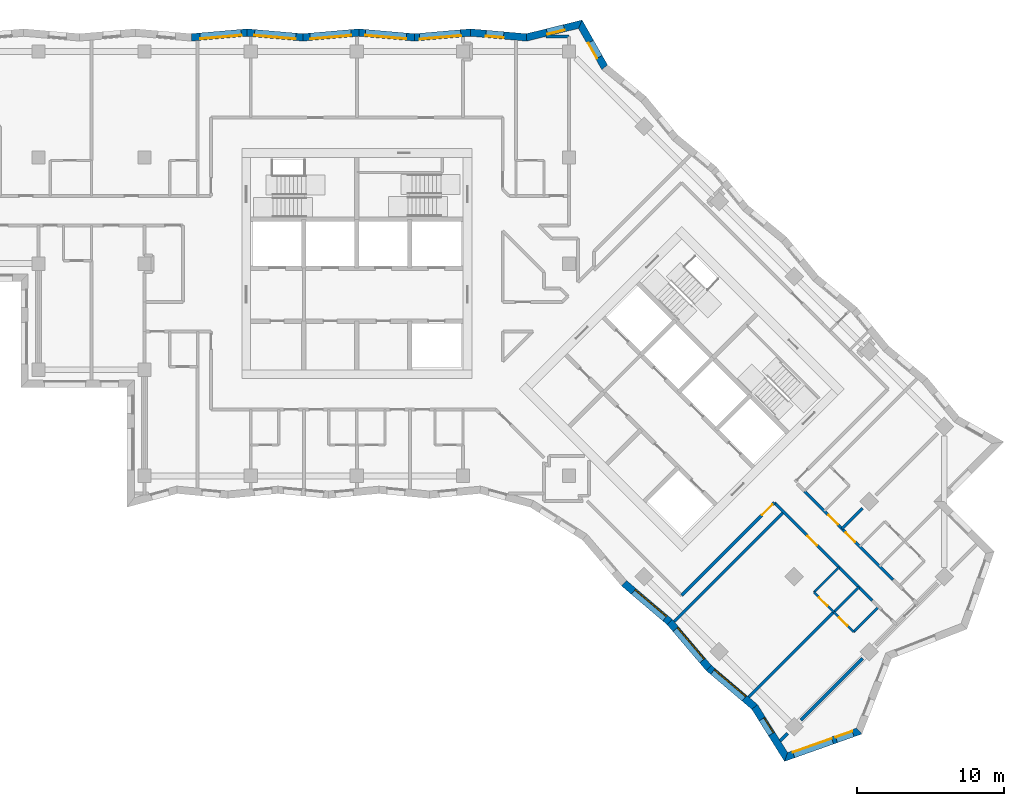
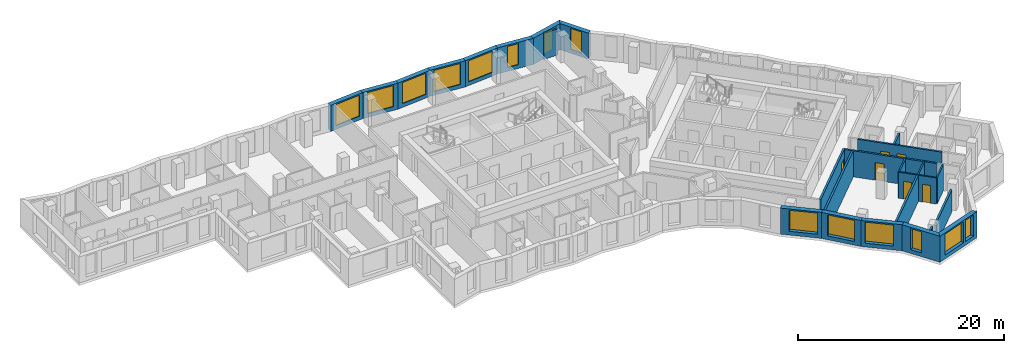
# One storey, part 7 of 12: 27 walls, 14 windows, 6 doors, 20 openings.
"""IFC4 building model written with IfcOpenShell, lengths in metres."""

from ifc_helpers import new_model, si_unit, direction, frame, frame_2d, origin, place, context, subcontext, project, spatial, polyline, rectangle, outline, extrude, material, layer, layer_set, type_object, element, fill, save


model = new_model("IFC4")

# Units and contexts
model_context = context("Model", 3, precision=1e-05, world=origin(), true_north=direction((0.0, 1.0)))
body_context = subcontext(model_context, "Body", "Model", "MODEL_VIEW")
ifc_project = project(units=[si_unit("LENGTHUNIT", "METRE"), si_unit("AREAUNIT", "SQUARE_METRE"), si_unit("VOLUMEUNIT", "CUBIC_METRE"), si_unit("PLANEANGLEUNIT", "RADIAN"), si_unit("MASSUNIT", "GRAM", prefix="KILO")], contexts=[model_context])

# Site, building, storey
site_placement = place(None, origin())
site = spatial("IfcSite", under=ifc_project, at=site_placement, CompositionType="ELEMENT")
building_placement = place(site_placement, origin())
building = spatial("IfcBuilding", under=site, at=building_placement, Name="Windrow Commons", CompositionType="ELEMENT")
storey_placement = place(building_placement, frame((0.0, 0.0, 138.8)))
storey = spatial("IfcBuildingStorey", under=building, at=storey_placement, Name="L37", CompositionType="ELEMENT", Elevation=138.8)

# Wall, openings, windows
ifc_material_1 = material(Name="Brick masonry, red clay brick", Category="masonry")
ifc_layer_1 = layer(ifc_material_1, 0.5)
ifc_layer_set_1 = layer_set([ifc_layer_1], Name="Brick facade wall 500")
wall_type_1 = type_object("IfcWallType", Name="Brick facade wall 500", PredefinedType="SOLIDWALL", material=ifc_layer_set_1)
wall_1_placement = place(storey_placement, frame((93.9212, 24.1273, 0.0), z_axis=(0.0, 0.0, 1.0), x_axis=(0.9426181277, 0.333872828, 0.0)))
wall_1 = element("IfcWall", 1, at=wall_1_placement, inside=storey, type_object=wall_type_1, Name="Brick facade wall L37 1", PredefinedType="SOLIDWALL", context=body_context, shape_type="SweptSolid", body=[
    extrude(outline(polyline([(-0.2003, -0.25), (5.3752, -0.25), (5.1468, 0.25), (0.2003, 0.25), (-0.2003, -0.25)])), origin(), (0.0, 0.0, 1.0), 3.1),
])
opening_1_placement = place(wall_1_placement, frame((0.5393, 0.0, 0.45)))
opening_1 = element("IfcOpeningElement", 2, at=opening_1_placement, cuts=wall_1, Name="Opening W1U", PredefinedType="OPENING", context=body_context, shape_type="SweptSolid", body=[
    extrude(rectangle(XDim=2.8, YDim=2.5, at=frame_2d((1.4, 1.25))), frame((0.0, 0.26, 0.0), z_axis=(0.0, -1.0, 0.0), x_axis=(1.0, 0.0, 0.0)), (0.0, 0.0, 1.0), 0.52),
])
opening_2_placement = place(wall_1_placement, frame((3.6126, 0.0, 0.45)))
opening_2 = element("IfcOpeningElement", 3, at=opening_2_placement, cuts=wall_1, Name="Opening W7E", PredefinedType="OPENING", context=body_context, shape_type="SweptSolid", body=[
    extrude(rectangle(XDim=1.2, YDim=2.5, at=frame_2d((0.6, 1.25))), frame((0.0, 0.26, 0.0), z_axis=(0.0, -1.0, 0.0), x_axis=(1.0, 0.0, 0.0)), (0.0, 0.0, 1.0), 0.52),
])
ifc_material_2 = material(Name="Clear float glass in anodised aluminium frame", Category="aluminium")
window_type_1 = type_object("IfcWindowType", Name="Window W1U bedroom 2800x2500", PartitioningType="SINGLE_PANEL", PredefinedType="WINDOW", material=ifc_material_2)
window_1_placement = place(opening_1_placement, origin())
window_1 = element("IfcWindow", 4, at=window_1_placement, inside=storey, type_object=window_type_1, Name="Window L37 1.1", OverallHeight=2.5, OverallWidth=2.8, PartitioningType="SINGLE_PANEL", PredefinedType="WINDOW", context=body_context, shape_type="SweptSolid", body=[
    extrude(rectangle(XDim=2.8, YDim=2.5, at=frame_2d((1.4, 1.25))), frame((0.0, 0.18, 0.0), z_axis=(0.0, -1.0, 0.0), x_axis=(1.0, 0.0, 0.0)), (0.0, 0.0, 1.0), 0.06),
])
fill(opening_1, window_1)
ifc_material_3 = material(Name="Clear float glass in anodised aluminium frame", Category="aluminium")
window_type_2 = type_object("IfcWindowType", Name="Window W7 notch 1200x2500", PartitioningType="SINGLE_PANEL", PredefinedType="WINDOW", material=ifc_material_3)
window_2_placement = place(opening_2_placement, origin())
window_2 = element("IfcWindow", 5, at=window_2_placement, inside=storey, type_object=window_type_2, Name="Window L37 1.2", OverallHeight=2.5, OverallWidth=1.2, PartitioningType="SINGLE_PANEL", PredefinedType="WINDOW", context=body_context, shape_type="SweptSolid", body=[
    extrude(rectangle(XDim=1.2, YDim=2.5, at=frame_2d((0.6, 1.25))), frame((0.0, 0.18, 0.0), z_axis=(0.0, -1.0, 0.0), x_axis=(1.0, 0.0, 0.0)), (0.0, 0.0, 1.0), 0.06),
])
fill(opening_2, window_2)

# Wall, opening, window
wall_2_placement = place(storey_placement, frame((81.6156, 70.9232, 0.0), z_axis=(0.0, 0.0, 1.0), x_axis=(-0.4937468039, 0.8696057116, 0.0)))
wall_2 = element("IfcWall", 6, at=wall_2_placement, inside=storey, type_object=wall_type_1, Name="Brick facade wall L37 18", PredefinedType="SOLIDWALL", context=body_context, shape_type="SweptSolid", body=[
    extrude(outline(polyline([(0.0463, -0.25), (3.5457, -0.25), (3.1675, 0.25), (-0.0463, 0.25), (0.0463, -0.25)])), origin(), (0.0, 0.0, 1.0), 3.1),
])
opening_3_placement = place(wall_2_placement, frame((0.7808, 0.0, 0.45)))
opening_3 = element("IfcOpeningElement", 7, at=opening_3_placement, cuts=wall_2, Name="Opening W7E", PredefinedType="OPENING", context=body_context, shape_type="SweptSolid", body=[
    extrude(rectangle(XDim=1.2, YDim=2.5, at=frame_2d((0.6, 1.25))), frame((0.0, 0.26, 0.0), z_axis=(0.0, -1.0, 0.0), x_axis=(1.0, 0.0, 0.0)), (0.0, 0.0, 1.0), 0.52),
])
window_3_placement = place(opening_3_placement, origin())
window_3 = element("IfcWindow", 8, at=window_3_placement, inside=storey, type_object=window_type_2, Name="Window L37 18.1", OverallHeight=2.5, OverallWidth=1.2, PartitioningType="SINGLE_PANEL", PredefinedType="WINDOW", context=body_context, shape_type="SweptSolid", body=[
    extrude(rectangle(XDim=1.2, YDim=2.5, at=frame_2d((0.6, 1.25))), frame((0.0, 0.18, 0.0), z_axis=(0.0, -1.0, 0.0), x_axis=(1.0, 0.0, 0.0)), (0.0, 0.0, 1.0), 0.06),
])
fill(opening_3, window_3)

wall_3_placement = place(storey_placement, frame((79.9583, 73.8421, 0.0), z_axis=(0.0, 0.0, 1.0), x_axis=(-0.9711681405, -0.2383955595, 0.0)))
wall_3 = element("IfcWall", 9, at=wall_3_placement, inside=storey, type_object=wall_type_1, Name="Brick facade wall L37 19", PredefinedType="SOLIDWALL", context=body_context, shape_type="SweptSolid", body=[
    extrude(outline(polyline([(-0.1891, -0.25), (3.7117, -0.25), (3.7943, 0.25), (0.1891, 0.25), (-0.1891, -0.25)])), origin(), (0.0, 0.0, 1.0), 3.1),
])
opening_4_placement = place(wall_3_placement, frame((1.1169, 0.0, 0.45)))
opening_4 = element("IfcOpeningElement", 10, at=opening_4_placement, cuts=wall_3, Name="Opening W7E", PredefinedType="OPENING", context=body_context, shape_type="SweptSolid", body=[
    extrude(rectangle(XDim=1.2, YDim=2.5, at=frame_2d((0.6, 1.25))), frame((0.0, 0.26, 0.0), z_axis=(0.0, -1.0, 0.0), x_axis=(1.0, 0.0, 0.0)), (0.0, 0.0, 1.0), 0.52),
])
window_4_placement = place(opening_4_placement, origin())
window_4 = element("IfcWindow", 11, at=window_4_placement, inside=storey, type_object=window_type_2, Name="Window L37 19.1", OverallHeight=2.5, OverallWidth=1.2, PartitioningType="SINGLE_PANEL", PredefinedType="WINDOW", context=body_context, shape_type="SweptSolid", body=[
    extrude(rectangle(XDim=1.2, YDim=2.5, at=frame_2d((0.6, 1.25))), frame((0.0, 0.16, 0.0), z_axis=(0.0, -1.0, 0.0), x_axis=(1.0, 0.0, 0.0)), (0.0, 0.0, 1.0), 0.06),
])
fill(opening_4, window_4)

wall_4_placement = place(storey_placement, frame((76.3135, 72.9474, 0.0), z_axis=(0.0, 0.0, 1.0), x_axis=(-0.9962271263, 0.0867842891, 0.0)))
wall_4 = element("IfcWall", 12, at=wall_4_placement, inside=storey, type_object=wall_type_1, Name="Brick facade wall L37 20", PredefinedType="SOLIDWALL", context=body_context, shape_type="SweptSolid", body=[
    extrude(outline(polyline([(0.0413, -0.25), (3.8439, -0.25), (3.8004, 0.25), (-0.0413, 0.25), (0.0413, -0.25)])), origin(), (0.0, 0.0, 1.0), 3.1),
])
opening_5_placement = place(wall_4_placement, frame((1.5583, 0.0, 0.45)))
opening_5 = element("IfcOpeningElement", 13, at=opening_5_placement, cuts=wall_4, Name="Opening W7E", PredefinedType="OPENING", context=body_context, shape_type="SweptSolid", body=[
    extrude(rectangle(XDim=1.2, YDim=2.5, at=frame_2d((0.6, 1.25))), frame((0.0, 0.26, 0.0), z_axis=(0.0, -1.0, 0.0), x_axis=(1.0, 0.0, 0.0)), (0.0, 0.0, 1.0), 0.52),
])
window_5_placement = place(opening_5_placement, origin())
window_5 = element("IfcWindow", 14, at=window_5_placement, inside=storey, type_object=window_type_2, Name="Window L37 20.1", OverallHeight=2.5, OverallWidth=1.2, PartitioningType="SINGLE_PANEL", PredefinedType="WINDOW", context=body_context, shape_type="SweptSolid", body=[
    extrude(rectangle(XDim=1.2, YDim=2.5, at=frame_2d((0.6, 1.25))), frame((0.0, 0.18, 0.0), z_axis=(0.0, -1.0, 0.0), x_axis=(1.0, 0.0, 0.0)), (0.0, 0.0, 1.0), 0.06),
])
fill(opening_5, window_5)

wall_5_placement = place(storey_placement, frame((72.5058, 73.2791, 0.0), z_axis=(0.0, 0.0, 1.0), x_axis=(-0.9962273538, -0.0867816769, 0.0)))
wall_5 = element("IfcWall", 15, at=wall_5_placement, inside=storey, type_object=wall_type_1, Name="Brick facade wall L37 21", PredefinedType="SOLIDWALL", context=body_context, shape_type="SweptSolid", body=[
    extrude(outline(polyline([(-0.0218, -0.25), (3.7808, -0.25), (3.8244, 0.25), (0.0218, 0.25), (-0.0218, -0.25)])), origin(), (0.0, 0.0, 1.0), 3.1),
])
opening_6_placement = place(wall_5_placement, frame((0.6552, 0.0, 0.45)))
opening_6 = element("IfcOpeningElement", 16, at=opening_6_placement, cuts=wall_5, Name="Opening W1U", PredefinedType="OPENING", context=body_context, shape_type="SweptSolid", body=[
    extrude(rectangle(XDim=2.8, YDim=2.5, at=frame_2d((1.4, 1.25))), frame((0.0, 0.26, 0.0), z_axis=(0.0, -1.0, 0.0), x_axis=(1.0, 0.0, 0.0)), (0.0, 0.0, 1.0), 0.52),
])
window_6_placement = place(opening_6_placement, origin())
window_6 = element("IfcWindow", 17, at=window_6_placement, inside=storey, type_object=window_type_1, Name="Window L37 21.1", OverallHeight=2.5, OverallWidth=2.8, PartitioningType="SINGLE_PANEL", PredefinedType="WINDOW", context=body_context, shape_type="SweptSolid", body=[
    extrude(rectangle(XDim=2.8, YDim=2.5, at=frame_2d((1.4, 1.25))), frame((0.0, 0.18, 0.0), z_axis=(0.0, -1.0, 0.0), x_axis=(1.0, 0.0, 0.0)), (0.0, 0.0, 1.0), 0.06),
])
fill(opening_6, window_6)

wall_6_placement = place(storey_placement, frame((68.7175, 72.9491, 0.0), z_axis=(0.0, 0.0, 1.0), x_axis=(-0.9962273538, 0.0867816769, 0.0)))
wall_6 = element("IfcWall", 18, at=wall_6_placement, inside=storey, type_object=wall_type_1, Name="Brick facade wall L37 22", PredefinedType="SOLIDWALL", context=body_context, shape_type="SweptSolid", body=[
    extrude(outline(polyline([(0.0218, -0.25), (3.8244, -0.25), (3.7808, 0.25), (-0.0218, 0.25), (0.0218, -0.25)])), origin(), (0.0, 0.0, 1.0), 3.1),
])
opening_7_placement = place(wall_6_placement, frame((0.5498, 0.0, 0.45)))
opening_7 = element("IfcOpeningElement", 19, at=opening_7_placement, cuts=wall_6, Name="Opening W1U", PredefinedType="OPENING", context=body_context, shape_type="SweptSolid", body=[
    extrude(rectangle(XDim=2.8, YDim=2.5, at=frame_2d((1.4, 1.25))), frame((0.0, 0.26, 0.0), z_axis=(0.0, -1.0, 0.0), x_axis=(1.0, 0.0, 0.0)), (0.0, 0.0, 1.0), 0.52),
])
window_7_placement = place(opening_7_placement, origin())
window_7 = element("IfcWindow", 20, at=window_7_placement, inside=storey, type_object=window_type_1, Name="Window L37 22.1", OverallHeight=2.5, OverallWidth=2.8, PartitioningType="SINGLE_PANEL", PredefinedType="WINDOW", context=body_context, shape_type="SweptSolid", body=[
    extrude(rectangle(XDim=2.8, YDim=2.5, at=frame_2d((1.4, 1.25))), frame((0.0, 0.18, 0.0), z_axis=(0.0, -1.0, 0.0), x_axis=(1.0, 0.0, 0.0)), (0.0, 0.0, 1.0), 0.06),
])
fill(opening_7, window_7)

wall_7_placement = place(storey_placement, frame((64.9292, 73.2791, 0.0), z_axis=(0.0, 0.0, 1.0), x_axis=(-0.9962271558, -0.0867839505, 0.0)))
wall_7 = element("IfcWall", 21, at=wall_7_placement, inside=storey, type_object=wall_type_1, Name="Brick facade wall L37 23", PredefinedType="SOLIDWALL", context=body_context, shape_type="SweptSolid", body=[
    extrude(outline(polyline([(-0.0218, -0.25), (3.7808, -0.25), (3.8244, 0.25), (0.0218, 0.25), (-0.0218, -0.25)])), origin(), (0.0, 0.0, 1.0), 3.1),
])
opening_8_placement = place(wall_7_placement, frame((0.5122, 0.0, 0.45)))
opening_8 = element("IfcOpeningElement", 22, at=opening_8_placement, cuts=wall_7, Name="Opening W1U", PredefinedType="OPENING", context=body_context, shape_type="SweptSolid", body=[
    extrude(rectangle(XDim=2.8, YDim=2.5, at=frame_2d((1.4, 1.25))), frame((0.0, 0.26, 0.0), z_axis=(0.0, -1.0, 0.0), x_axis=(1.0, 0.0, 0.0)), (0.0, 0.0, 1.0), 0.52),
])
window_8_placement = place(opening_8_placement, origin())
window_8 = element("IfcWindow", 23, at=window_8_placement, inside=storey, type_object=window_type_1, Name="Window L37 23.1", OverallHeight=2.5, OverallWidth=2.8, PartitioningType="SINGLE_PANEL", PredefinedType="WINDOW", context=body_context, shape_type="SweptSolid", body=[
    extrude(rectangle(XDim=2.8, YDim=2.5, at=frame_2d((1.4, 1.25))), frame((0.0, 0.18, 0.0), z_axis=(0.0, -1.0, 0.0), x_axis=(1.0, 0.0, 0.0)), (0.0, 0.0, 1.0), 0.06),
])
fill(opening_8, window_8)

wall_8_placement = place(storey_placement, frame((61.141, 72.9491, 0.0), z_axis=(0.0, 0.0, 1.0), x_axis=(-0.9962273538, 0.0867816769, 0.0)))
wall_8 = element("IfcWall", 24, at=wall_8_placement, inside=storey, type_object=wall_type_1, Name="Brick facade wall L37 24", PredefinedType="SOLIDWALL", context=body_context, shape_type="SweptSolid", body=[
    extrude(outline(polyline([(0.0218, -0.25), (3.8244, -0.25), (3.7808, 0.25), (-0.0218, 0.25), (0.0218, -0.25)])), origin(), (0.0, 0.0, 1.0), 3.1),
])
opening_9_placement = place(wall_8_placement, frame((0.4904, 0.0, 0.45)))
opening_9 = element("IfcOpeningElement", 25, at=opening_9_placement, cuts=wall_8, Name="Opening W1U", PredefinedType="OPENING", context=body_context, shape_type="SweptSolid", body=[
    extrude(rectangle(XDim=2.8, YDim=2.5, at=frame_2d((1.4, 1.25))), frame((0.0, 0.26, 0.0), z_axis=(0.0, -1.0, 0.0), x_axis=(1.0, 0.0, 0.0)), (0.0, 0.0, 1.0), 0.52),
])
window_9_placement = place(opening_9_placement, origin())
window_9 = element("IfcWindow", 26, at=window_9_placement, inside=storey, type_object=window_type_1, Name="Window L37 24.1", OverallHeight=2.5, OverallWidth=2.8, PartitioningType="SINGLE_PANEL", PredefinedType="WINDOW", context=body_context, shape_type="SweptSolid", body=[
    extrude(rectangle(XDim=2.8, YDim=2.5, at=frame_2d((1.4, 1.25))), frame((0.0, 0.18, 0.0), z_axis=(0.0, -1.0, 0.0), x_axis=(1.0, 0.0, 0.0)), (0.0, 0.0, 1.0), 0.06),
])
fill(opening_9, window_9)

wall_9_placement = place(storey_placement, frame((57.3527, 73.2791, 0.0), z_axis=(0.0, 0.0, 1.0), x_axis=(-0.9962273538, -0.0867816769, 0.0)))
wall_9 = element("IfcWall", 27, at=wall_9_placement, inside=storey, type_object=wall_type_1, Name="Brick facade wall L37 25", PredefinedType="SOLIDWALL", context=body_context, shape_type="SweptSolid", body=[
    extrude(outline(polyline([(-0.0218, -0.25), (3.7808, -0.25), (3.8244, 0.25), (0.0218, 0.25), (-0.0218, -0.25)])), origin(), (0.0, 0.0, 1.0), 3.1),
])
opening_10_placement = place(wall_9_placement, frame((0.3936, 0.0, 0.45)))
opening_10 = element("IfcOpeningElement", 28, at=opening_10_placement, cuts=wall_9, Name="Opening W1U", PredefinedType="OPENING", context=body_context, shape_type="SweptSolid", body=[
    extrude(rectangle(XDim=2.8, YDim=2.5, at=frame_2d((1.4, 1.25))), frame((0.0, 0.26, 0.0), z_axis=(0.0, -1.0, 0.0), x_axis=(1.0, 0.0, 0.0)), (0.0, 0.0, 1.0), 0.52),
])
window_10_placement = place(opening_10_placement, origin())
window_10 = element("IfcWindow", 29, at=window_10_placement, inside=storey, type_object=window_type_1, Name="Window L37 25.1", OverallHeight=2.5, OverallWidth=2.8, PartitioningType="SINGLE_PANEL", PredefinedType="WINDOW", context=body_context, shape_type="SweptSolid", body=[
    extrude(rectangle(XDim=2.8, YDim=2.5, at=frame_2d((1.4, 1.25))), frame((0.0, 0.18, 0.0), z_axis=(0.0, -1.0, 0.0), x_axis=(1.0, 0.0, 0.0)), (0.0, 0.0, 1.0), 0.06),
])
fill(opening_10, window_10)

wall_10_placement = place(storey_placement, frame((82.9207, 35.9232, 0.0), z_axis=(0.0, 0.0, 1.0), x_axis=(0.7620191747, -0.647554459, 0.0)))
wall_10 = element("IfcWall", 30, at=wall_10_placement, inside=storey, type_object=wall_type_1, Name="Brick facade wall L37 52", PredefinedType="SOLIDWALL", context=body_context, shape_type="SweptSolid", body=[
    extrude(outline(polyline([(-0.0203, -0.25), (4.0578, -0.25), (4.0984, 0.25), (0.0203, 0.25), (-0.0203, -0.25)])), origin(), (0.0, 0.0, 1.0), 3.1),
])
opening_11_placement = place(wall_10_placement, frame((0.8696, 0.0, 0.45)))
opening_11 = element("IfcOpeningElement", 31, at=opening_11_placement, cuts=wall_10, Name="Opening W1U", PredefinedType="OPENING", context=body_context, shape_type="SweptSolid", body=[
    extrude(rectangle(XDim=2.8, YDim=2.5, at=frame_2d((1.4, 1.25))), frame((0.0, 0.26, 0.0), z_axis=(0.0, -1.0, 0.0), x_axis=(1.0, 0.0, 0.0)), (0.0, 0.0, 1.0), 0.52),
])
window_11_placement = place(opening_11_placement, origin())
window_11 = element("IfcWindow", 32, at=window_11_placement, inside=storey, type_object=window_type_1, Name="Window L37 52.1", OverallHeight=2.5, OverallWidth=2.8, PartitioningType="SINGLE_PANEL", PredefinedType="WINDOW", context=body_context, shape_type="SweptSolid", body=[
    extrude(rectangle(XDim=2.8, YDim=2.5, at=frame_2d((1.4, 1.25))), frame((0.0, 0.18, 0.0), z_axis=(0.0, -1.0, 0.0), x_axis=(1.0, 0.0, 0.0)), (0.0, 0.0, 1.0), 0.06),
])
fill(opening_11, window_11)

wall_11_placement = place(storey_placement, frame((86.0283, 33.2824, 0.0), z_axis=(0.0, 0.0, 1.0), x_axis=(0.647554459, -0.7620191747, 0.0)))
wall_11 = element("IfcWall", 33, at=wall_11_placement, inside=storey, type_object=wall_type_1, Name="Brick facade wall L37 53", PredefinedType="SOLIDWALL", context=body_context, shape_type="SweptSolid", body=[
    extrude(outline(polyline([(0.0203, -0.25), (4.0984, -0.25), (4.0578, 0.25), (-0.0203, 0.25), (0.0203, -0.25)])), origin(), (0.0, 0.0, 1.0), 3.1),
])
opening_12_placement = place(wall_11_placement, frame((0.6289, 0.0, 0.45)))
opening_12 = element("IfcOpeningElement", 34, at=opening_12_placement, cuts=wall_11, Name="Opening W1U", PredefinedType="OPENING", context=body_context, shape_type="SweptSolid", body=[
    extrude(rectangle(XDim=2.8, YDim=2.5, at=frame_2d((1.4, 1.25))), frame((0.0, 0.26, 0.0), z_axis=(0.0, -1.0, 0.0), x_axis=(1.0, 0.0, 0.0)), (0.0, 0.0, 1.0), 0.52),
])
window_12_placement = place(opening_12_placement, origin())
window_12 = element("IfcWindow", 35, at=window_12_placement, inside=storey, type_object=window_type_1, Name="Window L37 53.1", OverallHeight=2.5, OverallWidth=2.8, PartitioningType="SINGLE_PANEL", PredefinedType="WINDOW", context=body_context, shape_type="SweptSolid", body=[
    extrude(rectangle(XDim=2.8, YDim=2.5, at=frame_2d((1.4, 1.25))), frame((0.0, 0.18, 0.0), z_axis=(0.0, -1.0, 0.0), x_axis=(1.0, 0.0, 0.0)), (0.0, 0.0, 1.0), 0.06),
])
fill(opening_12, window_12)

wall_12_placement = place(storey_placement, frame((88.6691, 30.1748, 0.0), z_axis=(0.0, 0.0, 1.0), x_axis=(0.76200858, -0.6475669262, 0.0)))
wall_12 = element("IfcWall", 36, at=wall_12_placement, inside=storey, type_object=wall_type_1, Name="Brick facade wall L37 54", PredefinedType="SOLIDWALL", context=body_context, shape_type="SweptSolid", body=[
    extrude(outline(polyline([(-0.0203, -0.25), (4.0578, -0.25), (4.1349, 0.25), (0.0203, 0.25), (-0.0203, -0.25)])), origin(), (0.0, 0.0, 1.0), 3.1),
])
opening_13_placement = place(wall_12_placement, frame((0.3804, 0.0, 0.45)))
opening_13 = element("IfcOpeningElement", 37, at=opening_13_placement, cuts=wall_12, Name="Opening W1U", PredefinedType="OPENING", context=body_context, shape_type="SweptSolid", body=[
    extrude(rectangle(XDim=2.8, YDim=2.5, at=frame_2d((1.4, 1.25))), frame((0.0, 0.26, 0.0), z_axis=(0.0, -1.0, 0.0), x_axis=(1.0, 0.0, 0.0)), (0.0, 0.0, 1.0), 0.52),
])
window_13_placement = place(opening_13_placement, origin())
window_13 = element("IfcWindow", 38, at=window_13_placement, inside=storey, type_object=window_type_1, Name="Window L37 54.1", OverallHeight=2.5, OverallWidth=2.8, PartitioningType="SINGLE_PANEL", PredefinedType="WINDOW", context=body_context, shape_type="SweptSolid", body=[
    extrude(rectangle(XDim=2.8, YDim=2.5, at=frame_2d((1.4, 1.25))), frame((0.0, 0.18, 0.0), z_axis=(0.0, -1.0, 0.0), x_axis=(1.0, 0.0, 0.0)), (0.0, 0.0, 1.0), 0.06),
])
fill(opening_13, window_13)

wall_13_placement = place(storey_placement, frame((91.7906, 27.5221, 0.0), z_axis=(0.0, 0.0, 1.0), x_axis=(0.5315858435, -0.847004422, 0.0)))
wall_13 = element("IfcWall", 39, at=wall_13_placement, inside=storey, type_object=wall_type_1, Name="Brick facade wall L37 55", PredefinedType="SOLIDWALL", context=body_context, shape_type="SweptSolid", body=[
    extrude(outline(polyline([(0.0385, -0.25), (4.2083, -0.25), (3.8078, 0.25), (-0.0385, 0.25), (0.0385, -0.25)])), origin(), (0.0, 0.0, 1.0), 3.1),
])
opening_14_placement = place(wall_13_placement, frame((0.96, 0.0, 0.45)))
opening_14 = element("IfcOpeningElement", 40, at=opening_14_placement, cuts=wall_13, Name="Opening W7E", PredefinedType="OPENING", context=body_context, shape_type="SweptSolid", body=[
    extrude(rectangle(XDim=1.2, YDim=2.5, at=frame_2d((0.6, 1.25))), frame((0.0, 0.26, 0.0), z_axis=(0.0, -1.0, 0.0), x_axis=(1.0, 0.0, 0.0)), (0.0, 0.0, 1.0), 0.52),
])
window_14_placement = place(opening_14_placement, origin())
window_14 = element("IfcWindow", 41, at=window_14_placement, inside=storey, type_object=window_type_2, Name="Window L37 55.1", OverallHeight=2.5, OverallWidth=1.2, PartitioningType="SINGLE_PANEL", PredefinedType="WINDOW", context=body_context, shape_type="SweptSolid", body=[
    extrude(rectangle(XDim=1.2, YDim=2.5, at=frame_2d((0.6, 1.25))), frame((0.0, 0.18, 0.0), z_axis=(0.0, -1.0, 0.0), x_axis=(1.0, 0.0, 0.0)), (0.0, 0.0, 1.0), 0.06),
])
fill(opening_14, window_14)

# Wall, opening, door
ifc_material_4 = material(Name="Blockwork partition", Category="masonry")
ifc_layer_2 = layer(ifc_material_4, 0.2)
ifc_layer_set_2 = layer_set([ifc_layer_2], Name="IW-CORRIDOR-200")
wall_type_2 = type_object("IfcWallType", Name="IW-CORRIDOR-200", PredefinedType="PARTITIONING", material=ifc_layer_set_2)
wall_14_placement = place(storey_placement, frame((93.1269, 41.3789, 0.0), z_axis=(0.0, 0.0, 1.0), x_axis=(0.7071067812, -0.7071067812, 0.0)))
wall_14 = element("IfcWall", 42, at=wall_14_placement, inside=storey, type_object=wall_type_2, Name="W-L37-W007", PredefinedType="PARTITIONING", context=body_context, shape_type="SweptSolid", body=[
    extrude(rectangle(XDim=9.3904, YDim=0.2, at=frame_2d((4.6952, 0.0))), origin(), (0.0, 0.0, 1.0), 3.1),
])
opening_15_placement = place(wall_14_placement, frame((3.2004, 0.0, 0.0)))
opening_15 = element("IfcOpeningElement", 43, at=opening_15_placement, cuts=wall_14, Name="Opening D109F", PredefinedType="OPENING", context=body_context, shape_type="SweptSolid", body=[
    extrude(rectangle(XDim=0.9, YDim=2.1, at=frame_2d((0.45, 1.05))), frame((0.0, 0.11, 0.0), z_axis=(0.0, -1.0, 0.0), x_axis=(1.0, 0.0, 0.0)), (0.0, 0.0, 1.0), 0.22),
])
ifc_material_5 = material(Name="Timber door leaf", Category="wood")
door_type_1 = type_object("IfcDoorType", Name="DT-BEDROOM-900", OperationType="SINGLE_SWING_LEFT", PredefinedType="DOOR", material=ifc_material_5)
door_1_placement = place(opening_15_placement, origin())
door_1 = element("IfcDoor", 44, at=door_1_placement, inside=storey, type_object=door_type_1, Name="D-L37-D045", OperationType="SINGLE_SWING_LEFT", OverallHeight=2.1, OverallWidth=0.9, PredefinedType="DOOR", context=body_context, shape_type="SweptSolid", body=[
    extrude(rectangle(XDim=0.9, YDim=2.1, at=frame_2d((0.45, 1.05))), frame((0.0, 0.025, 0.0), z_axis=(0.0, -1.0, 0.0), x_axis=(1.0, 0.0, 0.0)), (0.0, 0.0, 1.0), 0.05),
])
fill(opening_15, door_1)

wall_15_placement = place(storey_placement, frame((86.837, 35.091, 0.0), z_axis=(0.0, 0.0, 1.0), x_axis=(0.7071067812, 0.7071067812, 0.0)))
wall_15 = element("IfcWall", 45, at=wall_15_placement, inside=storey, type_object=wall_type_2, Name="W-L37-W011", PredefinedType="PARTITIONING", context=body_context, shape_type="SweptSolid", body=[
    extrude(rectangle(XDim=8.8982, YDim=0.2, at=frame_2d((4.4491, 0.0))), origin(), (0.0, 0.0, 1.0), 3.1),
])
opening_16_placement = place(wall_15_placement, frame((7.7004, 0.0, 0.0)))
opening_16 = element("IfcOpeningElement", 46, at=opening_16_placement, cuts=wall_15, Name="Opening D310F", PredefinedType="OPENING", context=body_context, shape_type="SweptSolid", body=[
    extrude(rectangle(XDim=1.0, YDim=2.1, at=frame_2d((0.5, 1.05))), frame((0.0, 0.11, 0.0), z_axis=(0.0, -1.0, 0.0), x_axis=(1.0, 0.0, 0.0)), (0.0, 0.0, 1.0), 0.22),
])
ifc_material_6 = material(Name="Timber door leaf", Category="wood")
door_type_2 = type_object("IfcDoorType", Name="DT-AMENITY-1000", OperationType="SINGLE_SWING_LEFT", PredefinedType="DOOR", material=ifc_material_6)
door_2_placement = place(opening_16_placement, origin())
door_2 = element("IfcDoor", 47, at=door_2_placement, inside=storey, type_object=door_type_2, Name="D-L37-D044", OperationType="SINGLE_SWING_LEFT", OverallHeight=2.1, OverallWidth=1.0, PredefinedType="DOOR", context=body_context, shape_type="SweptSolid", body=[
    extrude(rectangle(XDim=1.0, YDim=2.1, at=frame_2d((0.5, 1.05))), frame((0.0, 0.025, 0.0), z_axis=(0.0, -1.0, 0.0), x_axis=(1.0, 0.0, 0.0)), (0.0, 0.0, 1.0), 0.05),
])
fill(opening_16, door_2)

# Wall, openings, doors
wall_16_placement = place(storey_placement, frame((95.1771, 42.1571, 0.0), z_axis=(0.0, 0.0, 1.0), x_axis=(0.7071067812, -0.7071067812, 0.0)))
wall_16 = element("IfcWall", 48, at=wall_16_placement, inside=storey, type_object=wall_type_2, Name="W-L37-W012", PredefinedType="PARTITIONING", context=body_context, shape_type="SweptSolid", body=[
    extrude(rectangle(XDim=8.4909, YDim=0.2, at=frame_2d((4.2454, 0.0))), origin(), (0.0, 0.0, 1.0), 3.1),
])
opening_17_placement = place(wall_16_placement, frame((2.3004, 0.0, 0.0)))
opening_17 = element("IfcOpeningElement", 49, at=opening_17_placement, cuts=wall_16, Name="Opening D109S", PredefinedType="OPENING", context=body_context, shape_type="SweptSolid", body=[
    extrude(rectangle(XDim=0.9, YDim=2.1, at=frame_2d((0.45, 1.05))), frame((0.0, 0.11, 0.0), z_axis=(0.0, -1.0, 0.0), x_axis=(1.0, 0.0, 0.0)), (0.0, 0.0, 1.0), 0.22),
])
opening_18_placement = place(wall_16_placement, frame((3.9504, 0.0, 0.0)))
opening_18 = element("IfcOpeningElement", 50, at=opening_18_placement, cuts=wall_16, Name="Opening D109S", PredefinedType="OPENING", context=body_context, shape_type="SweptSolid", body=[
    extrude(rectangle(XDim=0.9, YDim=2.1, at=frame_2d((0.45, 1.05))), frame((0.0, 0.11, 0.0), z_axis=(0.0, -1.0, 0.0), x_axis=(1.0, 0.0, 0.0)), (0.0, 0.0, 1.0), 0.22),
])
door_3_placement = place(opening_17_placement, origin())
door_3 = element("IfcDoor", 51, at=door_3_placement, inside=storey, type_object=door_type_1, Name="D-L37-D042", OperationType="SINGLE_SWING_RIGHT", OverallHeight=2.1, OverallWidth=0.9, PredefinedType="DOOR", context=body_context, shape_type="SweptSolid", body=[
    extrude(rectangle(XDim=0.9, YDim=2.1, at=frame_2d((0.45, 1.05))), frame((0.0, 0.025, 0.0), z_axis=(0.0, -1.0, 0.0), x_axis=(1.0, 0.0, 0.0)), (0.0, 0.0, 1.0), 0.05),
])
fill(opening_17, door_3)
door_4_placement = place(opening_18_placement, origin())
door_4 = element("IfcDoor", 52, at=door_4_placement, inside=storey, type_object=door_type_1, Name="D-L37-D047", OperationType="SINGLE_SWING_LEFT", OverallHeight=2.1, OverallWidth=0.9, PredefinedType="DOOR", context=body_context, shape_type="SweptSolid", body=[
    extrude(rectangle(XDim=0.9, YDim=2.1, at=frame_2d((0.45, 1.05))), frame((0.0, 0.025, 0.0), z_axis=(0.0, -1.0, 0.0), x_axis=(1.0, 0.0, 0.0)), (0.0, 0.0, 1.0), 0.05),
])
fill(opening_18, door_4)

# Walls
ifc_material_7 = material(Name="Blockwork partition", Category="masonry")
ifc_layer_3 = layer(ifc_material_7, 0.15)
ifc_layer_set_3 = layer_set([ifc_layer_3], Name="IW-ENSUITE-150")
wall_type_3 = type_object("IfcWallType", Name="IW-ENSUITE-150", PredefinedType="PARTITIONING", material=ifc_layer_set_3)
wall_17_placement = place(storey_placement, frame((98.5031, 32.6149, 0.0), z_axis=(0.0, 0.0, 1.0), x_axis=(0.7071067812, 0.7071067812, 0.0)))
element("IfcWall", 53, at=wall_17_placement, inside=storey, type_object=wall_type_3, Name="W-L37-W063", PredefinedType="PARTITIONING", context=body_context, shape_type="SweptSolid", body=[
    extrude(rectangle(XDim=2.4013, YDim=0.15, at=frame_2d((1.2006, 0.0))), origin(), (0.0, 0.0, 1.0), 3.1),
])
wall_18_placement = place(storey_placement, frame((97.1629, 33.9551, 0.0), z_axis=(0.0, 0.0, 1.0), x_axis=(0.7075233388, 0.706689978, 0.0)))
element("IfcWall", 54, at=wall_18_placement, inside=storey, type_object=wall_type_3, Name="W-L37-W088", PredefinedType="PARTITIONING", context=body_context, shape_type="SweptSolid", body=[
    extrude(rectangle(XDim=2.3999, YDim=0.15, at=frame_2d((1.2, 0.0))), origin(), (0.0, 0.0, 1.0), 3.1),
])
wall_19_placement = place(storey_placement, frame((95.8171, 35.3029, 0.0), z_axis=(0.0, 0.0, 1.0), x_axis=(0.7071067812, 0.7071067812, 0.0)))
element("IfcWall", 55, at=wall_19_placement, inside=storey, type_object=wall_type_3, Name="W-L37-W090", PredefinedType="PARTITIONING", context=body_context, shape_type="SweptSolid", body=[
    extrude(rectangle(XDim=2.3985, YDim=0.15, at=frame_2d((1.1992, 0.0))), origin(), (0.0, 0.0, 1.0), 3.1),
])

# Wall, opening, door
wall_20_placement = place(storey_placement, frame((97.1569, 33.9549, 0.0), z_axis=(0.0, 0.0, 1.0), x_axis=(0.7071067812, -0.7071067812, 0.0)))
wall_20 = element("IfcWall", 56, at=wall_20_placement, inside=storey, type_object=wall_type_3, Name="W-L37-W115", PredefinedType="PARTITIONING", context=body_context, shape_type="SweptSolid", body=[
    extrude(rectangle(XDim=1.9007, YDim=0.15, at=frame_2d((0.9504, 0.0))), origin(), (0.0, 0.0, 1.0), 3.1),
])
opening_19_placement = place(wall_20_placement, frame((0.5059, 0.0, 0.0)))
opening_19 = element("IfcOpeningElement", 57, at=opening_19_placement, cuts=wall_20, Name="Opening D208N", PredefinedType="OPENING", context=body_context, shape_type="SweptSolid", body=[
    extrude(rectangle(XDim=0.8, YDim=2.1, at=frame_2d((0.4, 1.05))), frame((0.0, 0.085, 0.0), z_axis=(0.0, -1.0, 0.0), x_axis=(1.0, 0.0, 0.0)), (0.0, 0.0, 1.0), 0.17),
])
ifc_material_8 = material(Name="Timber door leaf", Category="wood")
door_type_3 = type_object("IfcDoorType", Name="DT-ENSUITE-800", OperationType="SINGLE_SWING_LEFT", PredefinedType="DOOR", material=ifc_material_8)
door_5_placement = place(opening_19_placement, origin())
door_5 = element("IfcDoor", 58, at=door_5_placement, inside=storey, type_object=door_type_3, Name="D-L37-D052", OperationType="SINGLE_SWING_RIGHT", OverallHeight=2.1, OverallWidth=0.8, PredefinedType="DOOR", context=body_context, shape_type="SweptSolid", body=[
    extrude(rectangle(XDim=0.8, YDim=2.1, at=frame_2d((0.4, 1.05))), frame((0.0, 0.025, 0.0), z_axis=(0.0, -1.0, 0.0), x_axis=(1.0, 0.0, 0.0)), (0.0, 0.0, 1.0), 0.05),
])
fill(opening_19, door_5)

wall_21_placement = place(storey_placement, frame((95.8196, 35.3036, 0.0), z_axis=(0.0, 0.0, 1.0), x_axis=(0.7065800724, -0.7076330979, 0.0)))
wall_21 = element("IfcWall", 59, at=wall_21_placement, inside=storey, type_object=wall_type_3, Name="W-L37-W128", PredefinedType="PARTITIONING", context=body_context, shape_type="SweptSolid", body=[
    extrude(rectangle(XDim=1.8993, YDim=0.15, at=frame_2d((0.9496, 0.0))), origin(), (0.0, 0.0, 1.0), 3.1),
])
opening_20_placement = place(wall_21_placement, frame((0.493, 0.0, 0.0)))
opening_20 = element("IfcOpeningElement", 60, at=opening_20_placement, cuts=wall_21, Name="Opening D208N", PredefinedType="OPENING", context=body_context, shape_type="SweptSolid", body=[
    extrude(rectangle(XDim=0.8, YDim=2.1, at=frame_2d((0.4, 1.05))), frame((0.0, 0.085, 0.0), z_axis=(0.0, -1.0, 0.0), x_axis=(1.0, 0.0, 0.0)), (0.0, 0.0, 1.0), 0.17),
])
door_6_placement = place(opening_20_placement, origin())
door_6 = element("IfcDoor", 61, at=door_6_placement, inside=storey, type_object=door_type_3, Name="D-L37-D046", OperationType="SINGLE_SWING_RIGHT", OverallHeight=2.1, OverallWidth=0.8, PredefinedType="DOOR", context=body_context, shape_type="SweptSolid", body=[
    extrude(rectangle(XDim=0.8, YDim=2.1, at=frame_2d((0.4, 1.05))), frame((0.0, 0.025, 0.0), z_axis=(0.0, -1.0, 0.0), x_axis=(1.0, 0.0, 0.0)), (0.0, 0.0, 1.0), 0.05),
])
fill(opening_20, door_6)

# Walls
ifc_material_9 = material(Name="Blockwork partition", Category="masonry")
ifc_layer_4 = layer(ifc_material_9, 0.2)
ifc_layer_set_4 = layer_set([ifc_layer_4], Name="IW-PARTY-200")
wall_type_4 = type_object("IfcWallType", Name="IW-PARTY-200", PredefinedType="PARTITIONING", material=ifc_layer_set_4)
wall_22_placement = place(storey_placement, frame((86.331, 33.3122, 0.0), z_axis=(0.0, 0.0, 1.0), x_axis=(0.7071067812, 0.7071067812, 0.0)))
element("IfcWall", 62, at=wall_22_placement, inside=storey, type_object=wall_type_4, Name="W-L37-W005", PredefinedType="PARTITIONING", context=body_context, shape_type="SweptSolid", body=[
    extrude(rectangle(XDim=10.5138, YDim=0.2, at=frame_2d((5.2569, 0.0))), origin(), (0.0, 0.0, 1.0), 3.1),
])
wall_23_placement = place(storey_placement, frame((91.391, 28.1898, 0.0), z_axis=(0.0, 0.0, 1.0), x_axis=(0.7071067812, 0.7071067812, 0.0)))
element("IfcWall", 63, at=wall_23_placement, inside=storey, type_object=wall_type_4, Name="W-L37-W018", PredefinedType="PARTITIONING", context=body_context, shape_type="SweptSolid", body=[
    extrude(rectangle(XDim=8.158, YDim=0.2, at=frame_2d((4.079, 0.0))), origin(), (0.0, 0.0, 1.0), 3.1),
])
wall_24_placement = place(storey_placement, frame((94.9232, 26.6308, 0.0), z_axis=(0.0, 0.0, 1.0), x_axis=(0.7071067812, 0.7071067812, 0.0)))
element("IfcWall", 64, at=wall_24_placement, inside=storey, type_object=wall_type_4, Name="W-L37-W027", PredefinedType="PARTITIONING", context=body_context, shape_type="SweptSolid", body=[
    extrude(rectangle(XDim=5.9256, YDim=0.2, at=frame_2d((2.9628, 0.0))), origin(), (0.0, 0.0, 1.0), 2.6),
])
wall_25_placement = place(storey_placement, frame((97.7251, 39.6149, 0.0), z_axis=(0.0, 0.0, 1.0), x_axis=(0.7065975219, 0.707615674, 0.0)))
element("IfcWall", 65, at=wall_25_placement, inside=storey, type_object=wall_type_4, Name="W-L37-W112", PredefinedType="PARTITIONING", context=body_context, shape_type="SweptSolid", body=[
    extrude(rectangle(XDim=1.9643, YDim=0.2, at=frame_2d((0.9821, 0.0))), origin(), (0.0, 0.0, 1.0), 3.1),
])
wall_26_placement = place(storey_placement, frame((77.6265, 73.0, 0.0), z_axis=(0.0, 0.0, 1.0), x_axis=(1.0, 0.0, 0.0)))
element("IfcWall", 66, at=wall_26_placement, inside=storey, type_object=wall_type_4, Name="W-L37-W140", PredefinedType="PARTITIONING", context=body_context, shape_type="SweptSolid", body=[
    extrude(rectangle(XDim=1.5735, YDim=0.2, at=frame_2d((0.7867, 0.0))), origin(), (0.0, 0.0, 1.0), 3.1),
])
wall_27_placement = place(storey_placement, frame((93.5235, 25.2312, 0.0), z_axis=(0.0, 0.0, 1.0), x_axis=(0.7071775379, 0.7070360174, 0.0)))
element("IfcWall", 67, at=wall_27_placement, inside=storey, type_object=wall_type_4, Name="W-L37-W156", PredefinedType="PARTITIONING", context=body_context, shape_type="SweptSolid", body=[
    extrude(rectangle(XDim=0.7066, YDim=0.2, at=frame_2d((0.3533, 0.0))), origin(), (0.0, 0.0, 1.0), 3.1),
])

save(model, "model.ifc")
